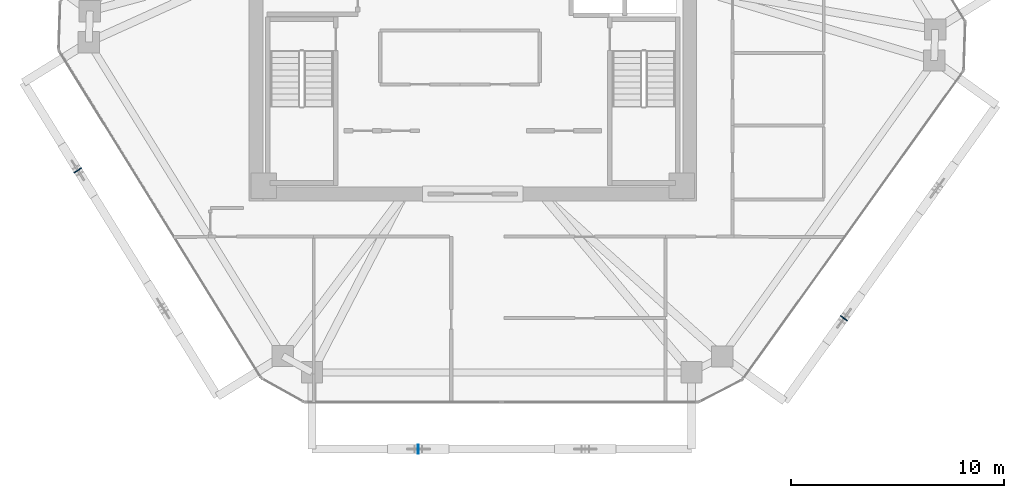
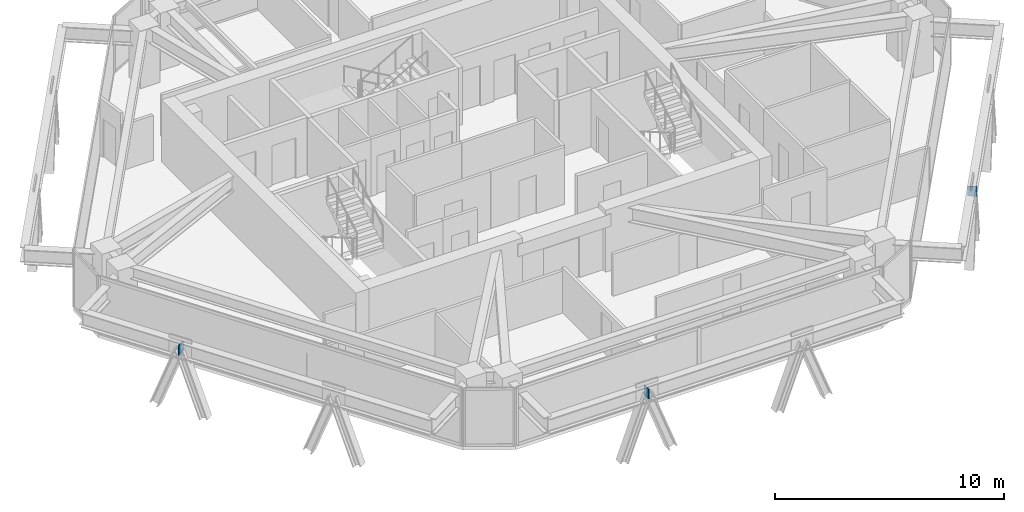
# One storey, part 8 of 14: 3 plates.
"""IFC4 building model written with IfcOpenShell, lengths in metres."""

from ifc_helpers import new_model, si_unit, direction, frame, origin, origin_2d, place, context, subcontext, project, spatial, rectangle, extrude, source, transform, mapped, material, layer, layer_set, type_object, type_shapes, element, save


model = new_model("IFC4")

# Units and contexts
model_context = context("Model", 3, precision=1e-05, world=origin(), true_north=direction((0.0, 1.0)))
body_context = subcontext(model_context, "Body", "Model", "MODEL_VIEW")
ifc_project = project(units=[si_unit("LENGTHUNIT", "METRE"), si_unit("AREAUNIT", "SQUARE_METRE"), si_unit("VOLUMEUNIT", "CUBIC_METRE"), si_unit("PLANEANGLEUNIT", "RADIAN"), si_unit("MASSUNIT", "GRAM", prefix="KILO")], contexts=[model_context])

# Site, building, storey
site_placement = place(None, origin())
site = spatial("IfcSite", under=ifc_project, at=site_placement, CompositionType="ELEMENT")
building_placement = place(site_placement, origin())
building = spatial("IfcBuilding", under=site, at=building_placement, Name="Durnholm Broadcast Tower", CompositionType="ELEMENT")
storey_placement = place(building_placement, frame((0.0, 0.0, 193.60009765625)))
storey = spatial("IfcBuildingStorey", under=building, at=storey_placement, Name="L53", CompositionType="ELEMENT", Elevation=193.60009765625)

# Plates
ifc_material = material(Name="Steel ASTM A572 Grade 50", Category="steel")
ifc_layer = layer(ifc_material, 0.044921875)
ifc_layer_set = layer_set([ifc_layer], Name="Steel ASTM A572 Grade 50")
plate_type = type_object("IfcPlateType", Name="PLT-KN-STIF", PredefinedType="SHEET", material=ifc_layer_set)
shared_shape = source(origin(), body_context, "Body", "SweptSolid", [
    extrude(rectangle(XDim=0.044921875, YDim=0.419921875, at=origin_2d()), origin(), (0.0, 0.0, 1.0), 0.52001953125),
])
type_shapes(plate_type, [shared_shape])
for number, where, z_axis, x_axis, name in (
    (1, (-2.556640625, -20.14208984375, 2.04833984375), (0.0, 0.0, 1.0), (1.0, 0.0, 0.0), "L53 welded diagrid node stiffener plate F1"),
    (2, (17.40966796875, -14.009521484375, 2.04833984375), (0.0, 0.0, 1.0), (0.582122970157, 0.813100761047, 0.0), "L53 welded diagrid node stiffener plate F2"),
    (3, (-18.5244140625, -7.07080078125, 2.04833984375), (0.0, 0.0, 1.0), (0.525768608156, -0.850627633385, 0.0), "L53 welded diagrid node stiffener plate F6"),
):
    element("IfcPlate", number, at=place(storey_placement, frame(where, z_axis=z_axis, x_axis=x_axis)), inside=storey, type_object=plate_type, Name=name, PredefinedType="SHEET", context=body_context, shape_type="MappedRepresentation", body=[
        mapped(shared_shape, transform((0.0, 0.0, 0.0), x_axis=(1.0, 0.0, 0.0), y_axis=(0.0, 1.0, 0.0), z_axis=(0.0, 0.0, 1.0), scale=1.0)),
    ])

save(model, "model.ifc")
